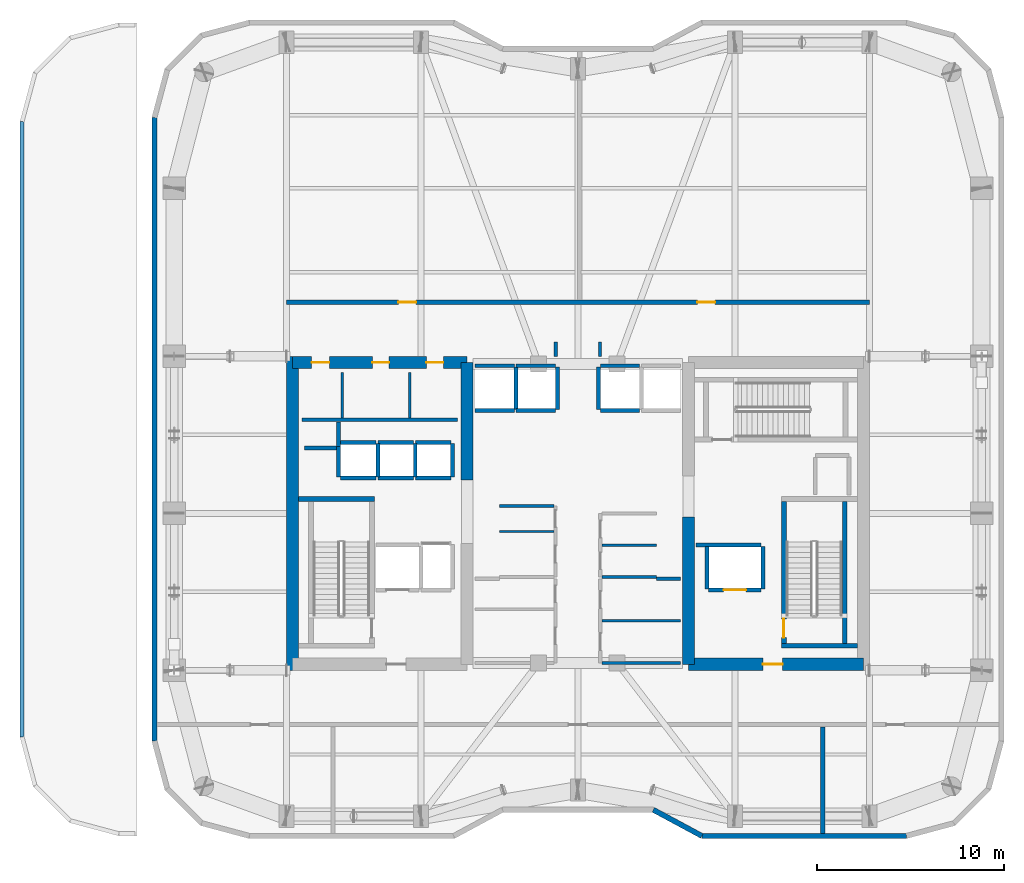
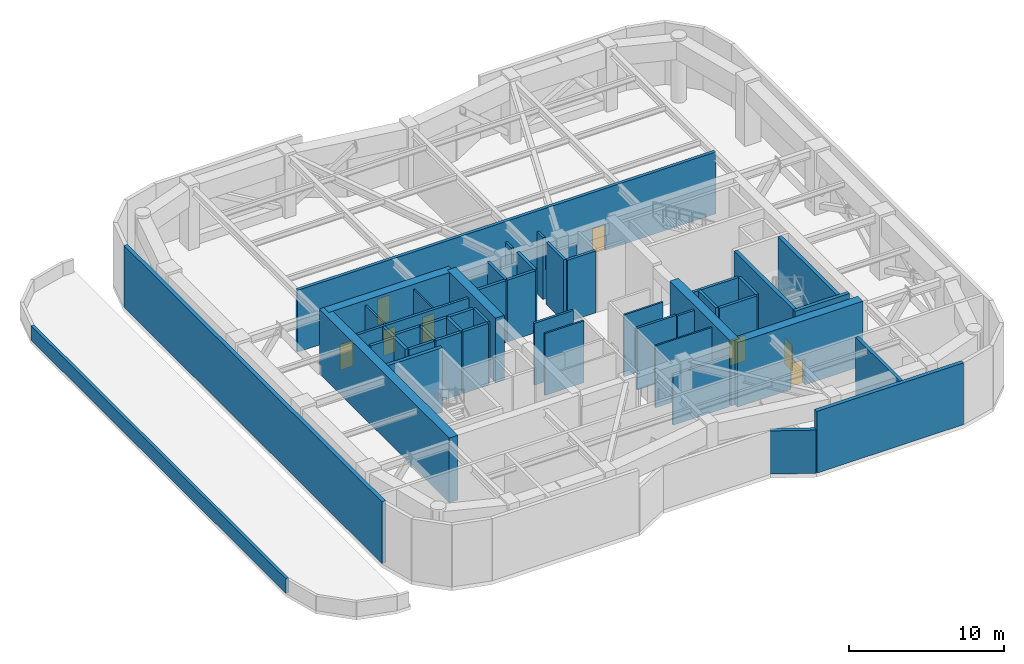
# One storey, part 12 of 16: 52 walls, 8 doors, 8 openings.
"""IFC4 building model written with IfcOpenShell, lengths in metres."""

from ifc_helpers import new_model, si_unit, direction, frame, frame_2d, origin, place, context, subcontext, project, spatial, rectangle, extrude, material, layer, layer_set, type_object, element, fill, save


model = new_model("IFC4")

# Units and contexts
model_context = context("Model", 3, precision=1e-05, world=origin(), true_north=direction((0.0, 1.0)))
body_context = subcontext(model_context, "Body", "Model", "MODEL_VIEW")
ifc_project = project(units=[si_unit("LENGTHUNIT", "METRE"), si_unit("AREAUNIT", "SQUARE_METRE"), si_unit("VOLUMEUNIT", "CUBIC_METRE"), si_unit("PLANEANGLEUNIT", "RADIAN"), si_unit("MASSUNIT", "GRAM", prefix="KILO")], contexts=[model_context])

# Site, building, storey
site_placement = place(None, origin())
site = spatial("IfcSite", under=ifc_project, at=site_placement, CompositionType="ELEMENT")
building_placement = place(site_placement, origin())
building = spatial("IfcBuilding", under=site, at=building_placement, Name="Kiyonajd Concourse Tower", CompositionType="ELEMENT")
storey_placement = place(building_placement, frame((0.0, 0.0, 209.699951171875)))
storey = spatial("IfcBuildingStorey", under=building, at=storey_placement, Name="L53", CompositionType="ELEMENT", Elevation=209.699951171875)

# Walls
ifc_material_1 = material(Name="Concrete C60/75", Category="concrete")
ifc_layer_1 = layer(ifc_material_1, 0.64990234375)
ifc_layer_set_1 = layer_set([ifc_layer_1], Name="Concrete C60/75")
wall_type_1 = type_object("IfcWallType", Name="WL-CORE-650", PredefinedType="SHEAR", material=ifc_layer_set_1)
wall_1_placement = place(storey_placement, frame((32.72509765625, 27.60009765625, 0.0), z_axis=(0.0, 0.0, 1.0), x_axis=(0.0, 1.0, 0.0)))
element("IfcWall", 1, at=wall_1_placement, inside=storey, type_object=wall_type_1, Name="L53 West Core Outer Shear Wall", PredefinedType="SHEAR", context=body_context, shape_type="SweptSolid", body=[
    extrude(rectangle(XDim=16.7998046875, YDim=0.64990234375, at=frame_2d((8.39990234375, 0.0))), origin(), (0.0, 0.0, 1.0), 5.10009765625),
])
wall_2_placement = place(storey_placement, frame((42.074951171875, 37.800048828125, 0.0), z_axis=(0.0, 0.0, 1.0), x_axis=(0.0, 1.0, 0.0)))
element("IfcWall", 2, at=wall_2_placement, inside=storey, type_object=wall_type_1, Name="L53 West Core Inner North Shear Wall", PredefinedType="SHEAR", context=body_context, shape_type="SweptSolid", body=[
    extrude(rectangle(XDim=6.27490234375, YDim=0.64990234375, at=frame_2d((3.137451171875, 0.0))), origin(), (0.0, 0.0, 1.0), 5.10009765625),
])

# Wall, openings, doors
wall_3_placement = place(storey_placement, frame((32.72509765625, 44.074951171875, 0.0), z_axis=(0.0, 0.0, 1.0), x_axis=(1.0, 0.0, 0.0)))
wall_3 = element("IfcWall", 3, at=wall_3_placement, inside=storey, type_object=wall_type_1, Name="L53 West Core North Shear Wall", PredefinedType="SHEAR", context=body_context, shape_type="SweptSolid", body=[
    extrude(rectangle(XDim=9.349853515625, YDim=0.64990234375, at=frame_2d((4.6748046875, 0.0))), origin(), (0.0, 0.0, 1.0), 5.10009765625),
])
opening_1_placement = place(wall_3_placement, frame((1.02490234375, 0.0, 0.0)))
opening_1 = element("IfcOpeningElement", 4, at=opening_1_placement, cuts=wall_3, Name="Opening DI1", PredefinedType="OPENING", context=body_context, shape_type="SweptSolid", body=[
    extrude(rectangle(XDim=0.949951171875, YDim=2.0400390625, at=frame_2d((0.47509765625, 1.02001953125))), frame((0.0, 0.3349609375, 0.0), z_axis=(0.0, -1.0, 0.0), x_axis=(1.0, 0.0, 0.0)), (0.0, 0.0, 1.0), 0.669921875),
])
opening_2_placement = place(wall_3_placement, frame((4.27490234375, 0.0, 0.0)))
opening_2 = element("IfcOpeningElement", 5, at=opening_2_placement, cuts=wall_3, Name="Opening DI2", PredefinedType="OPENING", context=body_context, shape_type="SweptSolid", body=[
    extrude(rectangle(XDim=0.89990234375, YDim=2.02001953125, at=frame_2d((0.449951171875, 1.010009765625))), frame((0.0, 0.3349609375, 0.0), z_axis=(0.0, -1.0, 0.0), x_axis=(1.0, 0.0, 0.0)), (0.0, 0.0, 1.0), 0.669921875),
])
opening_3_placement = place(wall_3_placement, frame((7.175048828125, 0.0, 0.0)))
opening_3 = element("IfcOpeningElement", 6, at=opening_3_placement, cuts=wall_3, Name="Opening DI2", PredefinedType="OPENING", context=body_context, shape_type="SweptSolid", body=[
    extrude(rectangle(XDim=0.89990234375, YDim=2.02001953125, at=frame_2d((0.449951171875, 1.010009765625))), frame((0.0, 0.3349609375, 0.0), z_axis=(0.0, -1.0, 0.0), x_axis=(1.0, 0.0, 0.0)), (0.0, 0.0, 1.0), 0.669921875),
])
ifc_material_2 = material(Name="Natural Oak Acoustic Timber Veneer", Category="wood")
door_type_1 = type_object("IfcDoorType", Name="DR-INT-900", OperationType="NOTDEFINED", PredefinedType="DOOR", material=ifc_material_2)
door_1_placement = place(opening_2_placement, origin())
door_1 = element("IfcDoor", 7, at=door_1_placement, inside=storey, type_object=door_type_1, Name="L53 Male Restroom Door", OperationType="SINGLE_SWING_RIGHT", OverallHeight=2.02001953125, OverallWidth=0.89990234375, PredefinedType="DOOR", context=body_context, shape_type="SweptSolid", body=[
    extrude(rectangle(XDim=0.89990234375, YDim=2.02001953125, at=frame_2d((0.449951171875, 1.010009765625))), frame((0.0, 0.02490234375, 0.0), z_axis=(0.0, -1.0, 0.0), x_axis=(1.0, 0.0, 0.0)), (0.0, 0.0, 1.0), 0.050048828125),
])
fill(opening_2, door_1)
door_2_placement = place(opening_3_placement, origin())
door_2 = element("IfcDoor", 8, at=door_2_placement, inside=storey, type_object=door_type_1, Name="L53 Female Restroom Door", OperationType="SINGLE_SWING_LEFT", OverallHeight=2.02001953125, OverallWidth=0.89990234375, PredefinedType="DOOR", context=body_context, shape_type="SweptSolid", body=[
    extrude(rectangle(XDim=0.89990234375, YDim=2.02001953125, at=frame_2d((0.449951171875, 1.010009765625))), frame((0.0, 0.02490234375, 0.0), z_axis=(0.0, -1.0, 0.0), x_axis=(1.0, 0.0, 0.0)), (0.0, 0.0, 1.0), 0.050048828125),
])
fill(opening_3, door_2)
door_type_2 = type_object("IfcDoorType", Name="DR-INT-950", OperationType="NOTDEFINED", PredefinedType="DOOR", material=ifc_material_2)
door_3_placement = place(opening_1_placement, origin())
door_3 = element("IfcDoor", 9, at=door_3_placement, inside=storey, type_object=door_type_2, Name="L53 Single User Accessible WC Door", OperationType="SINGLE_SWING_LEFT", OverallHeight=2.0400390625, OverallWidth=0.949951171875, PredefinedType="DOOR", context=body_context, shape_type="SweptSolid", body=[
    extrude(rectangle(XDim=0.949951171875, YDim=2.0400390625, at=frame_2d((0.47509765625, 1.02001953125))), frame((0.0, 0.02490234375, 0.0), z_axis=(0.0, -1.0, 0.0), x_axis=(1.0, 0.0, 0.0)), (0.0, 0.0, 1.0), 0.050048828125),
])
fill(opening_1, door_3)

# Wall
wall_4_placement = place(storey_placement, frame((53.925048828125, 27.925048828125, 0.0), z_axis=(0.0, 0.0, 1.0), x_axis=(0.0, 1.0, 0.0)))
element("IfcWall", 10, at=wall_4_placement, inside=storey, type_object=wall_type_1, Name="L53 East Core Inner South Shear Wall", PredefinedType="SHEAR", context=body_context, shape_type="SweptSolid", body=[
    extrude(rectangle(XDim=7.875, YDim=0.64990234375, at=frame_2d((3.9375, 0.0))), origin(), (0.0, 0.0, 1.0), 5.10009765625),
])

# Wall, opening, door
wall_5_placement = place(storey_placement, frame((53.925048828125, 27.925048828125, 0.0), z_axis=(0.0, 0.0, 1.0), x_axis=(1.0, 0.0, 0.0)))
wall_5 = element("IfcWall", 11, at=wall_5_placement, inside=storey, type_object=wall_type_1, Name="L53 East Core South Shear Wall", PredefinedType="SHEAR", context=body_context, shape_type="SweptSolid", body=[
    extrude(rectangle(XDim=9.349853515625, YDim=0.64990234375, at=frame_2d((4.6748046875, 0.0))), origin(), (0.0, 0.0, 1.0), 5.10009765625),
])
opening_4_placement = place(wall_5_placement, frame((3.97509765625, 0.0, 0.0)))
opening_4 = element("IfcOpeningElement", 12, at=opening_4_placement, cuts=wall_5, Name="Opening DF5", PredefinedType="OPENING", context=body_context, shape_type="SweptSolid", body=[
    extrude(rectangle(XDim=1.050048828125, YDim=2.0400390625, at=frame_2d((0.52490234375, 1.02001953125))), frame((0.0, 0.3349609375, 0.0), z_axis=(0.0, -1.0, 0.0), x_axis=(1.0, 0.0, 0.0)), (0.0, 0.0, 1.0), 0.669921875),
])
ifc_material_3 = material(Name="Brushed Stainless Steel Cab Assembly", Category="steel")
door_type_3 = type_object("IfcDoorType", Name="DR-FD45-1050", OperationType="NOTDEFINED", PredefinedType="DOOR", material=ifc_material_3)
door_4_placement = place(opening_4_placement, origin())
door_4 = element("IfcDoor", 13, at=door_4_placement, inside=storey, type_object=door_type_3, Name="L53 Firefighting Lift Lobby E Smoke Door", OperationType="SINGLE_SWING_RIGHT", OverallHeight=2.0400390625, OverallWidth=1.050048828125, PredefinedType="DOOR", context=body_context, shape_type="SweptSolid", body=[
    extrude(rectangle(XDim=1.050048828125, YDim=2.0400390625, at=frame_2d((0.52490234375, 1.02001953125))), frame((0.0, 0.02490234375, 0.0), z_axis=(0.0, -1.0, 0.0), x_axis=(1.0, 0.0, 0.0)), (0.0, 0.0, 1.0), 0.050048828125),
])
fill(opening_4, door_4)

# Walls
ifc_material_4 = material(Name="Precast concrete C50/60", Category="concrete")
ifc_layer_2 = layer(ifc_material_4, 0.280029296875)
ifc_layer_set_2 = layer_set([ifc_layer_2], Name="Precast concrete C50/60")
wall_type_2 = type_object("IfcWallType", Name="WL-EXT-280", PredefinedType="SOLIDWALL", material=ifc_layer_set_2)
wall_6_placement = place(storey_placement, frame((25.340087890625, 23.818359375, 0.0), z_axis=(0.0, 0.0, 1.0), x_axis=(0.0, 1.0, 0.0)))
element("IfcWall", 14, at=wall_6_placement, inside=storey, type_object=wall_type_2, Name="L53 Exterior Concrete Frame Wall 00", PredefinedType="SOLIDWALL", context=body_context, shape_type="SweptSolid", body=[
    extrude(rectangle(XDim=33.36328125, YDim=0.280029296875, at=frame_2d((16.681640625, 0.0))), origin(), (0.0, 0.0, 1.0), 4.880126953125),
])
wall_7_placement = place(storey_placement, frame((65.58154296875, 18.739990234375, 0.0), z_axis=(0.0, 0.0, 1.0), x_axis=(-1.0, 0.0, 0.0)))
element("IfcWall", 15, at=wall_7_placement, inside=storey, type_object=wall_type_2, Name="L53 Exterior Concrete Frame Wall 16", PredefinedType="SOLIDWALL", context=body_context, shape_type="SweptSolid", body=[
    extrude(rectangle(XDim=10.9462890625, YDim=0.280029296875, at=frame_2d((5.47314453125, 0.0))), origin(), (0.0, 0.0, 1.0), 4.880126953125),
])
wall_8_placement = place(storey_placement, frame((54.63525390625, 18.739990234375, 0.0), z_axis=(0.0, 0.0, 1.0), x_axis=(-0.880473754814, 0.474094892488, 0.0)))
element("IfcWall", 16, at=wall_8_placement, inside=storey, type_object=wall_type_2, Name="L53 Exterior Concrete Frame Wall 17", PredefinedType="SOLIDWALL", context=body_context, shape_type="SweptSolid", body=[
    extrude(rectangle(XDim=2.952880859375, YDim=0.280029296875, at=frame_2d((1.4765625, 0.0))), origin(), (0.0, 0.0, 1.0), 3.4150390625),
])
ifc_material_5 = material(Name="Gypsum Board on Cold-Formed Steel Stud", Category="steel")
ifc_layer_3 = layer(ifc_material_5, 0.22998046875)
ifc_layer_set_3 = layer_set([ifc_layer_3], Name="Gypsum Board on Cold-Formed Steel Stud")
wall_type_3 = type_object("IfcWallType", Name="WL-FIRE-230", PredefinedType="PARTITIONING", material=ifc_layer_set_3)
wall_9_placement = place(storey_placement, frame((61.10009765625, 18.875, 0.0), z_axis=(0.0, 0.0, 1.0), x_axis=(0.0, 1.0, 0.0)))
element("IfcWall", 17, at=wall_9_placement, inside=storey, type_object=wall_type_3, Name="L53 Interior Partition Wall", PredefinedType="PARTITIONING", context=body_context, shape_type="SweptSolid", body=[
    extrude(rectangle(XDim=5.7080078125, YDim=0.22998046875, at=frame_2d((2.85400390625, 0.0))), origin(), (0.0, 0.0, 1.0), 4.880126953125),
])

# Wall, openings, doors
wall_10_placement = place(storey_placement, frame((32.39990234375, 47.300048828125, 0.0), z_axis=(0.0, 0.0, 1.0), x_axis=(1.0, 0.0, 0.0)))
wall_10 = element("IfcWall", 18, at=wall_10_placement, inside=storey, type_object=wall_type_3, Name="L53 Interior Partition Wall", PredefinedType="PARTITIONING", context=body_context, shape_type="SweptSolid", body=[
    extrude(rectangle(XDim=31.2001953125, YDim=0.22998046875, at=frame_2d((15.60009765625, 0.0))), origin(), (0.0, 0.0, 1.0), 4.880126953125),
])
opening_5_placement = place(wall_10_placement, frame((6.0, 0.0, 0.0)))
opening_5 = element("IfcOpeningElement", 19, at=opening_5_placement, cuts=wall_10, Name="Opening DF3", PredefinedType="OPENING", context=body_context, shape_type="SweptSolid", body=[
    extrude(rectangle(XDim=0.949951171875, YDim=2.0400390625, at=frame_2d((0.47509765625, 1.02001953125))), frame((0.0, 0.125, 0.0), z_axis=(0.0, -1.0, 0.0), x_axis=(1.0, 0.0, 0.0)), (0.0, 0.0, 1.0), 0.25),
])
opening_6_placement = place(wall_10_placement, frame((22.0, 0.0, 0.0)))
opening_6 = element("IfcOpeningElement", 20, at=opening_6_placement, cuts=wall_10, Name="Opening DF3", PredefinedType="OPENING", context=body_context, shape_type="SweptSolid", body=[
    extrude(rectangle(XDim=0.949951171875, YDim=2.0400390625, at=frame_2d((0.47509765625, 1.02001953125))), frame((0.0, 0.125, 0.0), z_axis=(0.0, -1.0, 0.0), x_axis=(1.0, 0.0, 0.0)), (0.0, 0.0, 1.0), 0.25),
])
door_type_4 = type_object("IfcDoorType", Name="DR-FD60-950", OperationType="NOTDEFINED", PredefinedType="DOOR", material=ifc_material_3)
door_5_placement = place(opening_5_placement, origin())
door_5 = element("IfcDoor", 21, at=door_5_placement, inside=storey, type_object=door_type_4, Name="L53 Interior Door", OperationType="SINGLE_SWING_LEFT", OverallHeight=2.0400390625, OverallWidth=0.949951171875, PredefinedType="DOOR", context=body_context, shape_type="SweptSolid", body=[
    extrude(rectangle(XDim=0.949951171875, YDim=2.0400390625, at=frame_2d((0.47509765625, 1.02001953125))), frame((0.0, 0.02490234375, 0.0), z_axis=(0.0, -1.0, 0.0), x_axis=(1.0, 0.0, 0.0)), (0.0, 0.0, 1.0), 0.050048828125),
])
fill(opening_5, door_5)
door_6_placement = place(opening_6_placement, origin())
door_6 = element("IfcDoor", 22, at=door_6_placement, inside=storey, type_object=door_type_4, Name="L53 Interior Door", OperationType="SINGLE_SWING_RIGHT", OverallHeight=2.0400390625, OverallWidth=0.949951171875, PredefinedType="DOOR", context=body_context, shape_type="SweptSolid", body=[
    extrude(rectangle(XDim=0.949951171875, YDim=2.0400390625, at=frame_2d((0.47509765625, 1.02001953125))), frame((0.0, 0.02490234375, 0.0), z_axis=(0.0, -1.0, 0.0), x_axis=(1.0, 0.0, 0.0)), (0.0, 0.0, 1.0), 0.050048828125),
])
fill(opening_6, door_6)

# Walls
ifc_layer_4 = layer(ifc_material_4, 0.219970703125)
ifc_layer_set_4 = layer_set([ifc_layer_4], Name="Precast concrete C50/60")
wall_type_4 = type_object("IfcWallType", Name="WL-PAR-220", PredefinedType="PARAPET", material=ifc_layer_set_4)
wall_11_placement = place(storey_placement, frame((18.260009765625, 24.034423828125, 0.0), z_axis=(0.0, 0.0, 1.0), x_axis=(0.0, 1.0, 0.0)))
element("IfcWall", 23, at=wall_11_placement, inside=storey, type_object=wall_type_4, Name="L53 Setback Roof Parapet 09", PredefinedType="PARAPET", context=body_context, shape_type="SweptSolid", body=[
    extrude(rectangle(XDim=32.93115234375, YDim=0.219970703125, at=frame_2d((16.465576171875, 0.0))), origin(), (0.0, 0.0, 1.0), 1.150146484375),
])
ifc_layer_5 = layer(ifc_material_5, 0.125)
ifc_layer_set_5 = layer_set([ifc_layer_5], Name="Gypsum Board on Cold-Formed Steel Stud")
wall_type_5 = type_object("IfcWallType", Name="WL-PART-125", PredefinedType="PARTITIONING", material=ifc_layer_set_5)
for number, where, z_axis, x_axis, name in (
    (24, (35.39990234375, 41.094970703125, 0.0), (0.0, 0.0, 1.0), (0.0, 1.0, 0.0), "L53 Interior Partition Wall"),
    (25, (39.0, 41.094970703125, 0.0), (0.0, 0.0, 1.0), (0.0, 1.0, 0.0), "L53 Interior Partition Wall"),
):
    element("IfcWall", number, at=place(storey_placement, frame(where, z_axis=z_axis, x_axis=x_axis)), inside=storey, type_object=wall_type_5, Name=name, PredefinedType="PARTITIONING", context=body_context, shape_type="SweptSolid", body=[
        extrude(rectangle(XDim=2.455078125, YDim=0.125, at=frame_2d((1.2275390625, 0.0))), origin(), (0.0, 0.0, 1.0), 4.880126953125),
    ])
for number, where, z_axis, x_axis, name in (
    (26, (43.800048828125, 35.031982421875, 0.0), (0.0, 0.0, 1.0), (1.0, 0.0, 0.0), "L53 Interior Partition Wall"),
    (27, (49.287109375, 34.300048828125, 0.0), (0.0, 0.0, 1.0), (1.0, 0.0, 0.0), "L53 Interior Partition Wall"),
):
    element("IfcWall", number, at=place(storey_placement, frame(where, z_axis=z_axis, x_axis=x_axis)), inside=storey, type_object=wall_type_5, Name=name, PredefinedType="PARTITIONING", context=body_context, shape_type="SweptSolid", body=[
        extrude(rectangle(XDim=2.912841796875, YDim=0.125, at=frame_2d((1.45654296875, 0.0))), origin(), (0.0, 0.0, 1.0), 4.880126953125),
    ])
wall_12_placement = place(storey_placement, frame((49.287109375, 30.25, 0.0), z_axis=(0.0, 0.0, 1.0), x_axis=(1.0, 0.0, 0.0)))
element("IfcWall", 28, at=wall_12_placement, inside=storey, type_object=wall_type_5, Name="L53 Interior Partition Wall", PredefinedType="PARTITIONING", context=body_context, shape_type="SweptSolid", body=[
    extrude(rectangle(XDim=4.212890625, YDim=0.125, at=frame_2d((2.1064453125, 0.0))), origin(), (0.0, 0.0, 1.0), 4.880126953125),
])
ifc_layer_6 = layer(ifc_material_5, 0.18994140625)
ifc_layer_set_6 = layer_set([ifc_layer_6], Name="Gypsum Board on Cold-Formed Steel Stud")
wall_type_6 = type_object("IfcWallType", Name="WL-PLMB-190", PredefinedType="PLUMBINGWALL", material=ifc_layer_set_6)
wall_13_placement = place(storey_placement, frame((33.25, 41.0, 0.0), z_axis=(0.0, 0.0, 1.0), x_axis=(1.0, 0.0, 0.0)))
element("IfcWall", 29, at=wall_13_placement, inside=storey, type_object=wall_type_6, Name="L53 Interior Partition Wall", PredefinedType="PLUMBINGWALL", context=body_context, shape_type="SweptSolid", body=[
    extrude(rectangle(XDim=8.300048828125, YDim=0.18994140625, at=frame_2d((4.14990234375, 0.0))), origin(), (0.0, 0.0, 1.0), 4.880126953125),
])
ifc_layer_7 = layer(ifc_material_5, 0.2099609375)
ifc_layer_set_7 = layer_set([ifc_layer_7], Name="Gypsum Board on Cold-Formed Steel Stud")
wall_type_7 = type_object("IfcWallType", Name="WL-SHAFT-210", PredefinedType="PARTITIONING", material=ifc_layer_set_7)
wall_14_placement = place(storey_placement, frame((33.360107421875, 39.5, 0.0), z_axis=(0.0, 0.0, 1.0), x_axis=(1.0, 0.0, 0.0)))
element("IfcWall", 30, at=wall_14_placement, inside=storey, type_object=wall_type_7, Name="L53 Shaft Enclosure Wall", PredefinedType="PARTITIONING", context=body_context, shape_type="SweptSolid", body=[
    extrude(rectangle(XDim=1.85986328125, YDim=0.2099609375, at=frame_2d((0.929931640625, 0.0))), origin(), (0.0, 0.0, 1.0), 4.880126953125),
])
wall_15_placement = place(storey_placement, frame((35.199951171875, 39.580078125, 0.0), z_axis=(0.0, 0.0, 1.0), x_axis=(0.0, 1.0, 0.0)))
element("IfcWall", 31, at=wall_15_placement, inside=storey, type_object=wall_type_7, Name="L53 Shaft Enclosure Wall", PredefinedType="PARTITIONING", context=body_context, shape_type="SweptSolid", body=[
    extrude(rectangle(XDim=1.31982421875, YDim=0.2099609375, at=frame_2d((0.659912109375, 0.0))), origin(), (0.0, 0.0, 1.0), 4.880126953125),
])

# Wall, opening, door
wall_16_placement = place(storey_placement, frame((55.0, 31.89990234375, 0.0), z_axis=(0.0, 0.0, 1.0), x_axis=(1.0, 0.0, 0.0)))
wall_16 = element("IfcWall", 32, at=wall_16_placement, inside=storey, type_object=wall_type_7, Name="L53 Shaft Enclosure Wall", PredefinedType="PARTITIONING", context=body_context, shape_type="SweptSolid", body=[
    extrude(rectangle(XDim=2.800048828125, YDim=0.2099609375, at=frame_2d((1.39990234375, 0.0))), origin(), (0.0, 0.0, 1.0), 4.880126953125),
])
opening_7_placement = place(wall_16_placement, frame((0.800048828125, 0.0, 0.0)))
opening_7 = element("IfcOpeningElement", 33, at=opening_7_placement, cuts=wall_16, Name="Opening LD2", PredefinedType="OPENING", context=body_context, shape_type="SweptSolid", body=[
    extrude(rectangle(XDim=1.199951171875, YDim=2.0400390625, at=frame_2d((0.60009765625, 1.02001953125))), frame((0.0, 0.114990234375, 0.0), z_axis=(0.0, -1.0, 0.0), x_axis=(1.0, 0.0, 0.0)), (0.0, 0.0, 1.0), 0.22998046875),
])
door_type_5 = type_object("IfcDoorType", Name="DR-LD-1200", OperationType="DOUBLE_DOOR_SLIDING", PredefinedType="DOOR", material=ifc_material_3)
door_7_placement = place(opening_7_placement, origin())
door_7 = element("IfcDoor", 34, at=door_7_placement, inside=storey, type_object=door_type_5, Name="L53 Lift FFL2 Sliding Landing Door", OperationType="DOUBLE_DOOR_SLIDING", OverallHeight=2.0400390625, OverallWidth=1.199951171875, PredefinedType="DOOR", context=body_context, shape_type="SweptSolid", body=[
    extrude(rectangle(XDim=1.199951171875, YDim=2.0400390625, at=frame_2d((0.60009765625, 1.02001953125))), frame((0.0, 0.02490234375, 0.0), z_axis=(0.0, -1.0, 0.0), x_axis=(1.0, 0.0, 0.0)), (0.0, 0.0, 1.0), 0.050048828125),
])
fill(opening_7, door_7)

# Walls
wall_17_placement = place(storey_placement, frame((54.320068359375, 34.300048828125, 0.0), z_axis=(0.0, 0.0, 1.0), x_axis=(1.0, 0.0, 0.0)))
element("IfcWall", 35, at=wall_17_placement, inside=storey, type_object=wall_type_7, Name="L53 Shaft Enclosure Wall", PredefinedType="PARTITIONING", context=body_context, shape_type="SweptSolid", body=[
    extrude(rectangle(XDim=3.47998046875, YDim=0.2099609375, at=frame_2d((1.739990234375, 0.0))), origin(), (0.0, 0.0, 1.0), 4.880126953125),
])
for number, where, z_axis, x_axis, name in (
    (36, (54.89990234375, 31.9599609375, 0.0), (0.0, 0.0, 1.0), (0.0, 1.0, 0.0), "L53 Shaft Enclosure Wall"),
    (37, (57.89990234375, 31.9599609375, 0.0), (0.0, 0.0, 1.0), (0.0, 1.0, 0.0), "L53 Shaft Enclosure Wall"),
):
    element("IfcWall", number, at=place(storey_placement, frame(where, z_axis=z_axis, x_axis=x_axis)), inside=storey, type_object=wall_type_7, Name=name, PredefinedType="PARTITIONING", context=body_context, shape_type="SweptSolid", body=[
        extrude(rectangle(XDim=2.280029296875, YDim=0.2099609375, at=frame_2d((1.14013671875, 0.0))), origin(), (0.0, 0.0, 1.0), 4.880126953125),
    ])
wall_18_placement = place(storey_placement, frame((42.5, 41.5, 0.0), z_axis=(0.0, 0.0, 1.0), x_axis=(1.0, 0.0, 0.0)))
element("IfcWall", 38, at=wall_18_placement, inside=storey, type_object=wall_type_7, Name="L53 Shaft Enclosure Wall", PredefinedType="PARTITIONING", context=body_context, shape_type="SweptSolid", body=[
    extrude(rectangle(XDim=2.10009765625, YDim=0.2099609375, at=frame_2d((1.050048828125, 0.0))), origin(), (0.0, 0.0, 1.0), 4.880126953125),
])
wall_19_placement = place(storey_placement, frame((42.5, 43.89990234375, 0.0), z_axis=(0.0, 0.0, 1.0), x_axis=(1.0, 0.0, 0.0)))
element("IfcWall", 39, at=wall_19_placement, inside=storey, type_object=wall_type_7, Name="L53 Shaft Enclosure Wall", PredefinedType="PARTITIONING", context=body_context, shape_type="SweptSolid", body=[
    extrude(rectangle(XDim=2.10009765625, YDim=0.2099609375, at=frame_2d((1.050048828125, 0.0))), origin(), (0.0, 0.0, 1.0), 3.965087890625),
])
wall_20_placement = place(storey_placement, frame((44.699951171875, 41.56005859375, 0.0), z_axis=(0.0, 0.0, 1.0), x_axis=(0.0, 1.0, 0.0)))
element("IfcWall", 40, at=wall_20_placement, inside=storey, type_object=wall_type_7, Name="L53 Shaft Enclosure Wall", PredefinedType="PARTITIONING", context=body_context, shape_type="SweptSolid", body=[
    extrude(rectangle(XDim=2.280029296875, YDim=0.2099609375, at=frame_2d((1.14013671875, 0.0))), origin(), (0.0, 0.0, 1.0), 4.880126953125),
])
wall_21_placement = place(storey_placement, frame((44.699951171875, 41.5, 0.0), z_axis=(0.0, 0.0, 1.0), x_axis=(1.0, 0.0, 0.0)))
element("IfcWall", 41, at=wall_21_placement, inside=storey, type_object=wall_type_7, Name="L53 Shaft Enclosure Wall", PredefinedType="PARTITIONING", context=body_context, shape_type="SweptSolid", body=[
    extrude(rectangle(XDim=2.10009765625, YDim=0.2099609375, at=frame_2d((1.050048828125, 0.0))), origin(), (0.0, 0.0, 1.0), 4.880126953125),
])
wall_22_placement = place(storey_placement, frame((44.699951171875, 43.89990234375, 0.0), z_axis=(0.0, 0.0, 1.0), x_axis=(1.0, 0.0, 0.0)))
element("IfcWall", 42, at=wall_22_placement, inside=storey, type_object=wall_type_7, Name="L53 Shaft Enclosure Wall", PredefinedType="PARTITIONING", context=body_context, shape_type="SweptSolid", body=[
    extrude(rectangle(XDim=2.10009765625, YDim=0.2099609375, at=frame_2d((1.050048828125, 0.0))), origin(), (0.0, 0.0, 1.0), 3.965087890625),
])
wall_23_placement = place(storey_placement, frame((46.89990234375, 41.56005859375, 0.0), z_axis=(0.0, 0.0, 1.0), x_axis=(0.0, 1.0, 0.0)))
element("IfcWall", 43, at=wall_23_placement, inside=storey, type_object=wall_type_7, Name="L53 Shaft Enclosure Wall", PredefinedType="PARTITIONING", context=body_context, shape_type="SweptSolid", body=[
    extrude(rectangle(XDim=2.280029296875, YDim=0.2099609375, at=frame_2d((1.14013671875, 0.0))), origin(), (0.0, 0.0, 1.0), 4.880126953125),
])
wall_24_placement = place(storey_placement, frame((49.199951171875, 41.5, 0.0), z_axis=(0.0, 0.0, 1.0), x_axis=(1.0, 0.0, 0.0)))
element("IfcWall", 44, at=wall_24_placement, inside=storey, type_object=wall_type_7, Name="L53 Shaft Enclosure Wall", PredefinedType="PARTITIONING", context=body_context, shape_type="SweptSolid", body=[
    extrude(rectangle(XDim=2.10009765625, YDim=0.2099609375, at=frame_2d((1.050048828125, 0.0))), origin(), (0.0, 0.0, 1.0), 4.880126953125),
])
wall_25_placement = place(storey_placement, frame((49.199951171875, 43.89990234375, 0.0), z_axis=(0.0, 0.0, 1.0), x_axis=(1.0, 0.0, 0.0)))
element("IfcWall", 45, at=wall_25_placement, inside=storey, type_object=wall_type_7, Name="L53 Shaft Enclosure Wall", PredefinedType="PARTITIONING", context=body_context, shape_type="SweptSolid", body=[
    extrude(rectangle(XDim=2.10009765625, YDim=0.2099609375, at=frame_2d((1.050048828125, 0.0))), origin(), (0.0, 0.0, 1.0), 3.965087890625),
])
wall_26_placement = place(storey_placement, frame((49.10009765625, 41.56005859375, 0.0), z_axis=(0.0, 0.0, 1.0), x_axis=(0.0, 1.0, 0.0)))
element("IfcWall", 46, at=wall_26_placement, inside=storey, type_object=wall_type_7, Name="L53 Shaft Enclosure Wall", PredefinedType="PARTITIONING", context=body_context, shape_type="SweptSolid", body=[
    extrude(rectangle(XDim=2.280029296875, YDim=0.2099609375, at=frame_2d((1.14013671875, 0.0))), origin(), (0.0, 0.0, 1.0), 4.880126953125),
])
for number, where, z_axis, x_axis, name in (
    (47, (35.300048828125, 37.89990234375, 0.0), (0.0, 0.0, 1.0), (1.0, 0.0, 0.0), "L53 Shaft Enclosure Wall"),
    (48, (35.300048828125, 39.800048828125, 0.0), (0.0, 0.0, 1.0), (1.0, 0.0, 0.0), "L53 Shaft Enclosure Wall"),
):
    element("IfcWall", number, at=place(storey_placement, frame(where, z_axis=z_axis, x_axis=x_axis)), inside=storey, type_object=wall_type_7, Name=name, PredefinedType="PARTITIONING", context=body_context, shape_type="SweptSolid", body=[
        extrude(rectangle(XDim=1.89990234375, YDim=0.2099609375, at=frame_2d((0.949951171875, 0.0))), origin(), (0.0, 0.0, 1.0), 4.880126953125),
    ])
wall_27_placement = place(storey_placement, frame((35.199951171875, 37.9599609375, 0.0), z_axis=(0.0, 0.0, 1.0), x_axis=(0.0, 1.0, 0.0)))
element("IfcWall", 49, at=wall_27_placement, inside=storey, type_object=wall_type_7, Name="L53 Shaft Enclosure Wall", PredefinedType="PARTITIONING", context=body_context, shape_type="SweptSolid", body=[
    extrude(rectangle(XDim=1.6201171875, YDim=0.2099609375, at=frame_2d((0.81005859375, 0.0))), origin(), (0.0, 0.0, 1.0), 4.880126953125),
])
wall_28_placement = place(storey_placement, frame((37.300048828125, 37.9599609375, 0.0), z_axis=(0.0, 0.0, 1.0), x_axis=(0.0, 1.0, 0.0)))
element("IfcWall", 50, at=wall_28_placement, inside=storey, type_object=wall_type_7, Name="L53 Shaft Enclosure Wall", PredefinedType="PARTITIONING", context=body_context, shape_type="SweptSolid", body=[
    extrude(rectangle(XDim=1.780029296875, YDim=0.2099609375, at=frame_2d((0.89013671875, 0.0))), origin(), (0.0, 0.0, 1.0), 4.880126953125),
])
for number, where, z_axis, x_axis, name in (
    (51, (37.300048828125, 37.89990234375, 0.0), (0.0, 0.0, 1.0), (1.0, 0.0, 0.0), "L53 Shaft Enclosure Wall"),
    (52, (37.300048828125, 39.800048828125, 0.0), (0.0, 0.0, 1.0), (1.0, 0.0, 0.0), "L53 Shaft Enclosure Wall"),
):
    element("IfcWall", number, at=place(storey_placement, frame(where, z_axis=z_axis, x_axis=x_axis)), inside=storey, type_object=wall_type_7, Name=name, PredefinedType="PARTITIONING", context=body_context, shape_type="SweptSolid", body=[
        extrude(rectangle(XDim=1.89990234375, YDim=0.2099609375, at=frame_2d((0.949951171875, 0.0))), origin(), (0.0, 0.0, 1.0), 4.880126953125),
    ])
wall_29_placement = place(storey_placement, frame((39.300048828125, 37.9599609375, 0.0), z_axis=(0.0, 0.0, 1.0), x_axis=(0.0, 1.0, 0.0)))
element("IfcWall", 53, at=wall_29_placement, inside=storey, type_object=wall_type_7, Name="L53 Shaft Enclosure Wall", PredefinedType="PARTITIONING", context=body_context, shape_type="SweptSolid", body=[
    extrude(rectangle(XDim=1.780029296875, YDim=0.2099609375, at=frame_2d((0.89013671875, 0.0))), origin(), (0.0, 0.0, 1.0), 4.880126953125),
])
for number, where, z_axis, x_axis, name in (
    (54, (39.300048828125, 37.89990234375, 0.0), (0.0, 0.0, 1.0), (1.0, 0.0, 0.0), "L53 Shaft Enclosure Wall"),
    (55, (39.300048828125, 39.800048828125, 0.0), (0.0, 0.0, 1.0), (1.0, 0.0, 0.0), "L53 Shaft Enclosure Wall"),
):
    element("IfcWall", number, at=place(storey_placement, frame(where, z_axis=z_axis, x_axis=x_axis)), inside=storey, type_object=wall_type_7, Name=name, PredefinedType="PARTITIONING", context=body_context, shape_type="SweptSolid", body=[
        extrude(rectangle(XDim=1.89990234375, YDim=0.2099609375, at=frame_2d((0.949951171875, 0.0))), origin(), (0.0, 0.0, 1.0), 4.880126953125),
    ])
wall_30_placement = place(storey_placement, frame((41.300048828125, 37.9599609375, 0.0), z_axis=(0.0, 0.0, 1.0), x_axis=(0.0, 1.0, 0.0)))
element("IfcWall", 56, at=wall_30_placement, inside=storey, type_object=wall_type_7, Name="L53 Shaft Enclosure Wall", PredefinedType="PARTITIONING", context=body_context, shape_type="SweptSolid", body=[
    extrude(rectangle(XDim=1.780029296875, YDim=0.2099609375, at=frame_2d((0.89013671875, 0.0))), origin(), (0.0, 0.0, 1.0), 4.880126953125),
])
ifc_layer_8 = layer(ifc_material_5, 0.169921875)
ifc_layer_set_8 = layer_set([ifc_layer_8], Name="Gypsum Board on Cold-Formed Steel Stud")
wall_type_8 = type_object("IfcWallType", Name="WL-SMK-170", PredefinedType="PARTITIONING", material=ifc_layer_set_8)
for number, where, z_axis, x_axis, name in (
    (57, (46.820068359375, 44.39990234375, 0.0), (0.0, 0.0, 1.0), (0.0, 1.0, 0.0), "L53 Interior Partition Wall"),
    (58, (49.179931640625, 44.39990234375, 0.0), (0.0, 0.0, 1.0), (0.0, 1.0, 0.0), "L53 Interior Partition Wall"),
):
    element("IfcWall", number, at=place(storey_placement, frame(where, z_axis=z_axis, x_axis=x_axis)), inside=storey, type_object=wall_type_8, Name=name, PredefinedType="PARTITIONING", context=body_context, shape_type="SweptSolid", body=[
        extrude(rectangle(XDim=0.780029296875, YDim=0.169921875, at=frame_2d((0.39013671875, 0.0))), origin(), (0.0, 0.0, 1.0), 4.880126953125),
    ])
for number, where, z_axis, x_axis, name in (
    (59, (43.800048828125, 36.39990234375, 0.0), (0.0, 0.0, 1.0), (1.0, 0.0, 0.0), "L53 Interior Partition Wall"),
    (60, (49.287109375, 32.60009765625, 0.0), (0.0, 0.0, 1.0), (1.0, 0.0, 0.0), "L53 Interior Partition Wall"),
):
    element("IfcWall", number, at=place(storey_placement, frame(where, z_axis=z_axis, x_axis=x_axis)), inside=storey, type_object=wall_type_8, Name=name, PredefinedType="PARTITIONING", context=body_context, shape_type="SweptSolid", body=[
        extrude(rectangle(XDim=2.912841796875, YDim=0.169921875, at=frame_2d((1.45654296875, 0.0))), origin(), (0.0, 0.0, 1.0), 4.880126953125),
    ])
wall_31_placement = place(storey_placement, frame((49.287109375, 28.0, 0.0), z_axis=(0.0, 0.0, 1.0), x_axis=(1.0, 0.0, 0.0)))
element("IfcWall", 61, at=wall_31_placement, inside=storey, type_object=wall_type_8, Name="L53 Interior Partition Wall", PredefinedType="PARTITIONING", context=body_context, shape_type="SweptSolid", body=[
    extrude(rectangle(XDim=4.212890625, YDim=0.169921875, at=frame_2d((2.1064453125, 0.0))), origin(), (0.0, 0.0, 1.0), 3.965087890625),
])
wall_32_placement = place(storey_placement, frame((52.199951171875, 32.5, 0.0), z_axis=(0.0, 0.0, 1.0), x_axis=(1.0, 0.0, 0.0)))
element("IfcWall", 62, at=wall_32_placement, inside=storey, type_object=wall_type_8, Name="L53 Interior Partition Wall", PredefinedType="PARTITIONING", context=body_context, shape_type="SweptSolid", body=[
    extrude(rectangle(XDim=1.300048828125, YDim=0.169921875, at=frame_2d((0.64990234375, 0.0))), origin(), (0.0, 0.0, 1.0), 4.880126953125),
])
ifc_material_6 = material(Name="Concrete C50/60", Category="concrete")
ifc_layer_9 = layer(ifc_material_6, 0.260009765625)
ifc_layer_set_9 = layer_set([ifc_layer_9], Name="Concrete C50/60")
wall_type_9 = type_object("IfcWallType", Name="WL-STAIR-260", PredefinedType="SHEAR", material=ifc_layer_set_9)
for number, where, z_axis, x_axis, name in (
    (63, (33.050048828125, 36.780029296875, 0.0), (0.0, 0.0, 1.0), (1.0, 0.0, 0.0), "L53 Stair ST1 Structural North Wall"),
    (64, (58.889892578125, 28.919921875, 0.0), (0.0, 0.0, 1.0), (1.0, 0.0, 0.0), "L53 Stair ST2 Structural South Wall"),
):
    element("IfcWall", number, at=place(storey_placement, frame(where, z_axis=z_axis, x_axis=x_axis)), inside=storey, type_object=wall_type_9, Name=name, PredefinedType="SHEAR", context=body_context, shape_type="SweptSolid", body=[
        extrude(rectangle(XDim=4.06005859375, YDim=0.260009765625, at=frame_2d((2.030029296875, 0.0))), origin(), (0.0, 0.0, 1.0), 5.10009765625),
    ])

# Wall, opening, door
wall_33_placement = place(storey_placement, frame((59.02001953125, 29.050048828125, 0.0), z_axis=(0.0, 0.0, 1.0), x_axis=(0.0, 1.0, 0.0)))
wall_33 = element("IfcWall", 65, at=wall_33_placement, inside=storey, type_object=wall_type_9, Name="L53 Stair ST2 Structural West Wall", PredefinedType="SHEAR", context=body_context, shape_type="SweptSolid", body=[
    extrude(rectangle(XDim=7.599853515625, YDim=0.260009765625, at=frame_2d((3.7998046875, 0.0))), origin(), (0.0, 0.0, 1.0), 5.10009765625),
])
opening_8_placement = place(wall_33_placement, frame((0.300048828125, 0.0, 0.0)))
opening_8 = element("IfcOpeningElement", 66, at=opening_8_placement, cuts=wall_33, Name="Opening DF1", PredefinedType="OPENING", context=body_context, shape_type="SweptSolid", body=[
    extrude(rectangle(XDim=1.0, YDim=2.0400390625, at=frame_2d((0.5, 1.02001953125))), frame((0.0, 0.139892578125, 0.0), z_axis=(0.0, -1.0, 0.0), x_axis=(1.0, 0.0, 0.0)), (0.0, 0.0, 1.0), 0.280029296875),
])
door_type_6 = type_object("IfcDoorType", Name="DR-FD90-1000", OperationType="NOTDEFINED", PredefinedType="DOOR", material=ifc_material_3)
door_8_placement = place(opening_8_placement, origin())
door_8 = element("IfcDoor", 67, at=door_8_placement, inside=storey, type_object=door_type_6, Name="L53 Stair ST2 FSAE Door", OperationType="SINGLE_SWING_RIGHT", OverallHeight=2.0400390625, OverallWidth=1.0, PredefinedType="DOOR", context=body_context, shape_type="SweptSolid", body=[
    extrude(rectangle(XDim=1.0, YDim=2.0400390625, at=frame_2d((0.5, 1.02001953125))), frame((0.0, 0.02490234375, 0.0), z_axis=(0.0, -1.0, 0.0), x_axis=(1.0, 0.0, 0.0)), (0.0, 0.0, 1.0), 0.050048828125),
])
fill(opening_8, door_8)

# Wall
wall_34_placement = place(storey_placement, frame((62.280029296875, 29.050048828125, 0.0), z_axis=(0.0, 0.0, 1.0), x_axis=(0.0, 1.0, 0.0)))
element("IfcWall", 68, at=wall_34_placement, inside=storey, type_object=wall_type_9, Name="L53 Stair ST2 Structural East Wall", PredefinedType="SHEAR", context=body_context, shape_type="SweptSolid", body=[
    extrude(rectangle(XDim=7.599853515625, YDim=0.260009765625, at=frame_2d((3.7998046875, 0.0))), origin(), (0.0, 0.0, 1.0), 5.10009765625),
])

save(model, "model.ifc")
